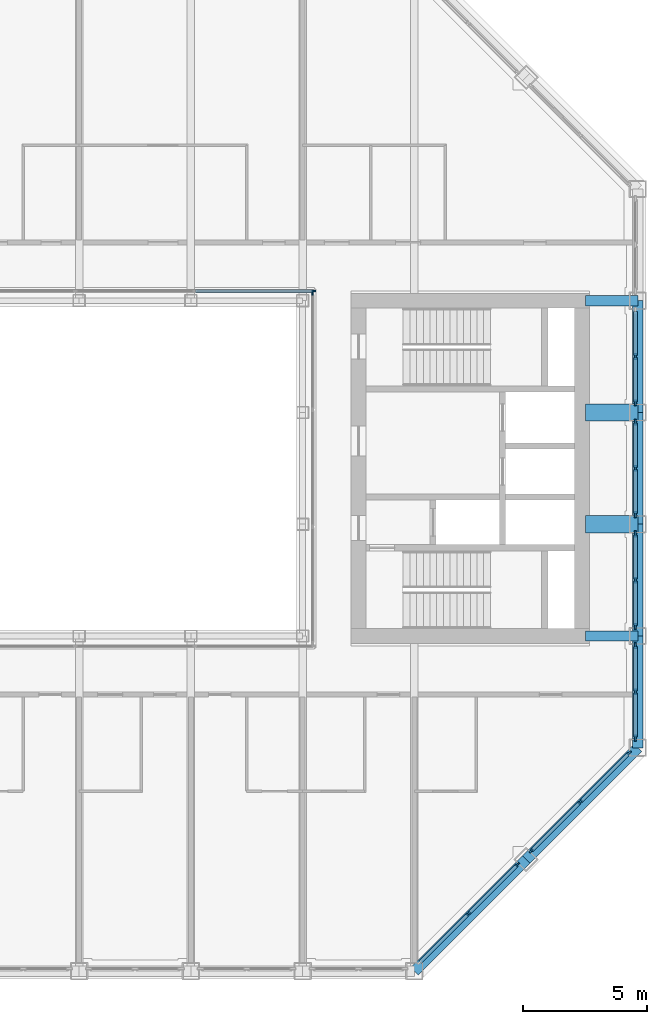
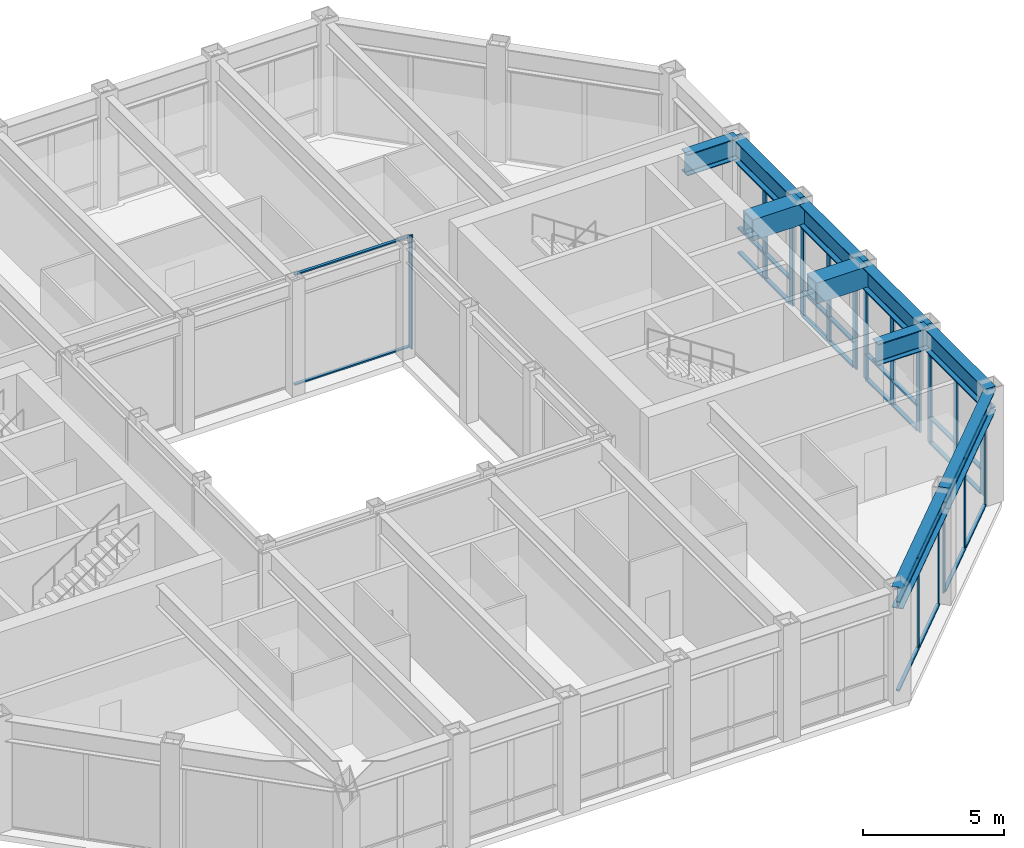
# One storey, part 5 of 15: 52 members, 10 beams, 8 elements without a shape of their own.
"""IFC4 building model written with IfcOpenShell, lengths in metres."""

from ifc_helpers import new_model, si_unit, direction, frame, origin, origin_2d, place, context, subcontext, project, spatial, rectangle, hollow_rectangle, i_section, extrude, material, material_profile, profile_set, type_object, element, aggregate, save


model = new_model("IFC4")

# Units and contexts
model_context = context("Model", 3, precision=1e-05, world=origin(), true_north=direction((0.0, 1.0)))
body_context = subcontext(model_context, "Body", "Model", "MODEL_VIEW")
ifc_project = project(units=[si_unit("LENGTHUNIT", "METRE"), si_unit("AREAUNIT", "SQUARE_METRE"), si_unit("VOLUMEUNIT", "CUBIC_METRE"), si_unit("PLANEANGLEUNIT", "RADIAN"), si_unit("MASSUNIT", "GRAM", prefix="KILO")], contexts=[model_context])

# Site, building, storey
site_placement = place(None, origin())
site = spatial("IfcSite", under=ifc_project, at=site_placement, CompositionType="ELEMENT")
building_placement = place(site_placement, origin())
building = spatial("IfcBuilding", under=site, at=building_placement, Name="Msasa Ring Tower", CompositionType="ELEMENT")
storey_placement = place(building_placement, frame((0.0, 0.0, 195.800048828125)))
storey = spatial("IfcBuildingStorey", under=building, at=storey_placement, Name="L51", CompositionType="ELEMENT", Elevation=195.800048828125)

# Curtain wall, members
ifc_material_1 = material(Name="Aluminium curtain wall with clear glass", Category="aluminium")
curtain_wall_type_1 = type_object("IfcCurtainWallType", Name="CW-C CHAMFER CORNER CURTAIN WALL", PredefinedType="NOTDEFINED", material=ifc_material_1)
curtain_wall_1_placement = place(storey_placement, origin())
curtain_wall_1 = element("IfcCurtainWall", 1, at=curtain_wall_1_placement, inside=storey, type_object=curtain_wall_type_1, Name="Chamfer corner curtain wall SE L51", PredefinedType="NOTDEFINED")
ifc_material_2 = material(Name="Aluminium mullion", Category="aluminium")
ifc_material_profile_1 = material_profile(ifc_material_2, rectangle(XDim=0.06494140625, YDim=0.179931640625, at=origin_2d()), Name="AL 65x180")
ifc_profile_set_1 = profile_set([ifc_material_profile_1], Name="Aluminium mullion")
member_type_1 = type_object("IfcMemberType", Name="CW-C MULLION 65x180", PredefinedType="MULLION", material=ifc_profile_set_1)
member_1_placement = place(storey_placement, frame((13.42919921875, -17.92919921875, 0.0), z_axis=(0.0, 0.0, 1.0), x_axis=(-0.707106781187, 0.707106781187, 0.0)))
member_1 = element("IfcMember", 2, at=member_1_placement, type_object=member_type_1, Name="CW-C mullion 2", PredefinedType="MULLION", context=body_context, shape_type="SweptSolid", body=[
    extrude(rectangle(XDim=0.06494140625, YDim=0.179931640625, at=origin_2d()), origin(), (0.0, 0.0, 1.0), 3.87890625),
])
member_2_placement = place(storey_placement, frame((15.4052734375, -15.953369140625, 0.0), z_axis=(0.0, 0.0, 1.0), x_axis=(-0.707106781187, 0.707106781187, 0.0)))
member_2 = element("IfcMember", 3, at=member_2_placement, type_object=member_type_1, Name="CW-C mullion 3", PredefinedType="MULLION", context=body_context, shape_type="SweptSolid", body=[
    extrude(rectangle(XDim=0.06494140625, YDim=0.179931640625, at=origin_2d()), origin(), (0.0, 0.0, 1.0), 3.87890625),
])

curtain_wall_2_placement = place(storey_placement, origin())
curtain_wall_2 = element("IfcCurtainWall", 4, at=curtain_wall_2_placement, inside=storey, type_object=curtain_wall_type_1, Name="Chamfer corner curtain wall SE L51", PredefinedType="NOTDEFINED")
member_3_placement = place(storey_placement, frame((15.953369140625, -15.4052734375, 0.0), z_axis=(0.0, 0.0, 1.0), x_axis=(-0.707106781187, 0.707106781187, 0.0)))
member_3 = element("IfcMember", 5, at=member_3_placement, type_object=member_type_1, Name="CW-C mullion 1", PredefinedType="MULLION", context=body_context, shape_type="SweptSolid", body=[
    extrude(rectangle(XDim=0.06494140625, YDim=0.179931640625, at=origin_2d()), origin(), (0.0, 0.0, 1.0), 3.87890625),
])
member_4_placement = place(storey_placement, frame((17.92919921875, -13.42919921875, 0.0), z_axis=(0.0, 0.0, 1.0), x_axis=(-0.707106781187, 0.707106781187, 0.0)))
member_4 = element("IfcMember", 6, at=member_4_placement, type_object=member_type_1, Name="CW-C mullion 2", PredefinedType="MULLION", context=body_context, shape_type="SweptSolid", body=[
    extrude(rectangle(XDim=0.06494140625, YDim=0.179931640625, at=origin_2d()), origin(), (0.0, 0.0, 1.0), 3.87890625),
])
member_5_placement = place(storey_placement, frame((19.9052734375, -11.453369140625, 0.0), z_axis=(0.0, 0.0, 1.0), x_axis=(-0.707106781187, 0.707106781187, 0.0)))
member_5 = element("IfcMember", 7, at=member_5_placement, type_object=member_type_1, Name="CW-C mullion 3", PredefinedType="MULLION", context=body_context, shape_type="SweptSolid", body=[
    extrude(rectangle(XDim=0.06494140625, YDim=0.179931640625, at=origin_2d()), origin(), (0.0, 0.0, 1.0), 3.87890625),
])

# Member
ifc_material_3 = material(Name="Aluminium transom", Category="aluminium")
ifc_material_profile_2 = material_profile(ifc_material_3, rectangle(XDim=0.139892578125, YDim=0.06494140625, at=origin_2d()), Name="AL 65x140")
ifc_profile_set_2 = profile_set([ifc_material_profile_2], Name="Aluminium transom")
member_type_2 = type_object("IfcMemberType", Name="CW-C TRANSOM 65x140", PredefinedType="USERDEFINED", material=ifc_profile_set_2)
member_6_placement = place(storey_placement, frame((11.476318359375, -19.88232421875, 0.032470703125), z_axis=(0.707106781187, 0.707106781187, 0.0), x_axis=(-0.707106781187, 0.707106781187, 0.0)))
member_6 = element("IfcMember", 8, at=member_6_placement, type_object=member_type_2, Name="CW-C transom 1.1", ObjectType="TRANSOM", PredefinedType="USERDEFINED", context=body_context, shape_type="SweptSolid", body=[
    extrude(rectangle(XDim=0.139892578125, YDim=0.06494140625, at=origin_2d()), origin(), (0.0, 0.0, 1.0), 2.729248046875),
])

member_7_placement = place(storey_placement, frame((11.476318359375, -19.88232421875, 3.846435546875), z_axis=(0.707106781187, 0.707106781187, 0.0), x_axis=(-0.707106781187, 0.707106781187, 0.0)))
member_7 = element("IfcMember", 9, at=member_7_placement, type_object=member_type_2, Name="CW-C transom 1.2", ObjectType="TRANSOM", PredefinedType="USERDEFINED", context=body_context, shape_type="SweptSolid", body=[
    extrude(rectangle(XDim=0.139892578125, YDim=0.06494140625, at=origin_2d()), origin(), (0.0, 0.0, 1.0), 2.729248046875),
])

member_8_placement = place(storey_placement, frame((13.452392578125, -17.90625, 0.032470703125), z_axis=(0.707106781187, 0.707106781187, 0.0), x_axis=(-0.707106781187, 0.707106781187, 0.0)))
member_8 = element("IfcMember", 10, at=member_8_placement, type_object=member_type_2, Name="CW-C transom 2.1", ObjectType="TRANSOM", PredefinedType="USERDEFINED", context=body_context, shape_type="SweptSolid", body=[
    extrude(rectangle(XDim=0.139892578125, YDim=0.06494140625, at=origin_2d()), origin(), (0.0, 0.0, 1.0), 2.729248046875),
])

member_9_placement = place(storey_placement, frame((13.452392578125, -17.90625, 3.846435546875), z_axis=(0.707106781187, 0.707106781187, 0.0), x_axis=(-0.707106781187, 0.707106781187, 0.0)))
member_9 = element("IfcMember", 11, at=member_9_placement, type_object=member_type_2, Name="CW-C transom 2.2", ObjectType="TRANSOM", PredefinedType="USERDEFINED", context=body_context, shape_type="SweptSolid", body=[
    extrude(rectangle(XDim=0.139892578125, YDim=0.06494140625, at=origin_2d()), origin(), (0.0, 0.0, 1.0), 2.729248046875),
])

aggregate(curtain_wall_1, [member_1, member_2, member_6, member_7, member_8, member_9])

member_10_placement = place(storey_placement, frame((15.976318359375, -15.38232421875, 0.032470703125), z_axis=(0.707106781187, 0.707106781187, 0.0), x_axis=(-0.707106781187, 0.707106781187, 0.0)))
member_10 = element("IfcMember", 12, at=member_10_placement, type_object=member_type_2, Name="CW-C transom 1.1", ObjectType="TRANSOM", PredefinedType="USERDEFINED", context=body_context, shape_type="SweptSolid", body=[
    extrude(rectangle(XDim=0.139892578125, YDim=0.06494140625, at=origin_2d()), origin(), (0.0, 0.0, 1.0), 2.729248046875),
])

member_11_placement = place(storey_placement, frame((15.976318359375, -15.38232421875, 3.846435546875), z_axis=(0.707106781187, 0.707106781187, 0.0), x_axis=(-0.707106781187, 0.707106781187, 0.0)))
member_11 = element("IfcMember", 13, at=member_11_placement, type_object=member_type_2, Name="CW-C transom 1.2", ObjectType="TRANSOM", PredefinedType="USERDEFINED", context=body_context, shape_type="SweptSolid", body=[
    extrude(rectangle(XDim=0.139892578125, YDim=0.06494140625, at=origin_2d()), origin(), (0.0, 0.0, 1.0), 2.729248046875),
])

member_12_placement = place(storey_placement, frame((17.952392578125, -13.40625, 0.032470703125), z_axis=(0.707106781187, 0.707106781187, 0.0), x_axis=(-0.707106781187, 0.707106781187, 0.0)))
member_12 = element("IfcMember", 14, at=member_12_placement, type_object=member_type_2, Name="CW-C transom 2.1", ObjectType="TRANSOM", PredefinedType="USERDEFINED", context=body_context, shape_type="SweptSolid", body=[
    extrude(rectangle(XDim=0.139892578125, YDim=0.06494140625, at=origin_2d()), origin(), (0.0, 0.0, 1.0), 2.729248046875),
])

member_13_placement = place(storey_placement, frame((17.952392578125, -13.40625, 3.846435546875), z_axis=(0.707106781187, 0.707106781187, 0.0), x_axis=(-0.707106781187, 0.707106781187, 0.0)))
member_13 = element("IfcMember", 15, at=member_13_placement, type_object=member_type_2, Name="CW-C transom 2.2", ObjectType="TRANSOM", PredefinedType="USERDEFINED", context=body_context, shape_type="SweptSolid", body=[
    extrude(rectangle(XDim=0.139892578125, YDim=0.06494140625, at=origin_2d()), origin(), (0.0, 0.0, 1.0), 2.729248046875),
])

aggregate(curtain_wall_2, [member_3, member_4, member_5, member_10, member_11, member_12, member_13])

# Curtain wall, members
ifc_material_4 = material(Name="Aluminium curtain wall with clear glass", Category="aluminium")
curtain_wall_type_2 = type_object("IfcCurtainWallType", Name="CW-S SKY LOBBY CURTAIN WALL", PredefinedType="NOTDEFINED", material=ifc_material_4)
curtain_wall_3_placement = place(storey_placement, origin())
curtain_wall_3 = element("IfcCurtainWall", 16, at=curtain_wall_3_placement, inside=storey, type_object=curtain_wall_type_2, Name="Sky lobby curtain wall E L51", PredefinedType="NOTDEFINED")
ifc_material_5 = material(Name="Aluminium mullion", Category="aluminium")
ifc_material_profile_3 = material_profile(ifc_material_5, rectangle(XDim=0.074951171875, YDim=0.25, at=origin_2d()), Name="AL 75x250")
ifc_profile_set_3 = profile_set([ifc_material_profile_3], Name="Aluminium mullion")
member_type_3 = type_object("IfcMemberType", Name="CW-S MULLION 75x250", PredefinedType="MULLION", material=ifc_profile_set_3)
member_14_placement = place(storey_placement, frame((20.14990234375, -10.857421875, 0.0), z_axis=(0.0, 0.0, 1.0), x_axis=(-1.0, 0.0, 0.0)))
member_14 = element("IfcMember", 17, at=member_14_placement, type_object=member_type_3, Name="CW-S mullion 1", PredefinedType="MULLION", context=body_context, shape_type="SweptSolid", body=[
    extrude(rectangle(XDim=0.074951171875, YDim=0.25, at=origin_2d()), origin(), (0.0, 0.0, 1.0), 3.87890625),
])
member_15_placement = place(storey_placement, frame((20.14990234375, -9.0, 0.0), z_axis=(0.0, 0.0, 1.0), x_axis=(-1.0, 0.0, 0.0)))
member_15 = element("IfcMember", 18, at=member_15_placement, type_object=member_type_3, Name="CW-S mullion 2", PredefinedType="MULLION", context=body_context, shape_type="SweptSolid", body=[
    extrude(rectangle(XDim=0.074951171875, YDim=0.25, at=origin_2d()), origin(), (0.0, 0.0, 1.0), 3.87890625),
])
member_16_placement = place(storey_placement, frame((20.14990234375, -7.142578125, 0.0), z_axis=(0.0, 0.0, 1.0), x_axis=(-1.0, 0.0, 0.0)))
member_16 = element("IfcMember", 19, at=member_16_placement, type_object=member_type_3, Name="CW-S mullion 3", PredefinedType="MULLION", context=body_context, shape_type="SweptSolid", body=[
    extrude(rectangle(XDim=0.074951171875, YDim=0.25, at=origin_2d()), origin(), (0.0, 0.0, 1.0), 3.87890625),
])

curtain_wall_4_placement = place(storey_placement, origin())
curtain_wall_4 = element("IfcCurtainWall", 20, at=curtain_wall_4_placement, inside=storey, type_object=curtain_wall_type_2, Name="Sky lobby curtain wall E L51", PredefinedType="NOTDEFINED")
member_17_placement = place(storey_placement, frame((20.14990234375, -6.357421875, 0.0), z_axis=(0.0, 0.0, 1.0), x_axis=(-1.0, 0.0, 0.0)))
member_17 = element("IfcMember", 21, at=member_17_placement, type_object=member_type_3, Name="CW-S mullion 1", PredefinedType="MULLION", context=body_context, shape_type="SweptSolid", body=[
    extrude(rectangle(XDim=0.074951171875, YDim=0.25, at=origin_2d()), origin(), (0.0, 0.0, 1.0), 3.87890625),
])
member_18_placement = place(storey_placement, frame((20.14990234375, -4.5, 0.0), z_axis=(0.0, 0.0, 1.0), x_axis=(-1.0, 0.0, 0.0)))
member_18 = element("IfcMember", 22, at=member_18_placement, type_object=member_type_3, Name="CW-S mullion 2", PredefinedType="MULLION", context=body_context, shape_type="SweptSolid", body=[
    extrude(rectangle(XDim=0.074951171875, YDim=0.25, at=origin_2d()), origin(), (0.0, 0.0, 1.0), 3.87890625),
])
member_19_placement = place(storey_placement, frame((20.14990234375, -2.642578125, 0.0), z_axis=(0.0, 0.0, 1.0), x_axis=(-1.0, 0.0, 0.0)))
member_19 = element("IfcMember", 23, at=member_19_placement, type_object=member_type_3, Name="CW-S mullion 3", PredefinedType="MULLION", context=body_context, shape_type="SweptSolid", body=[
    extrude(rectangle(XDim=0.074951171875, YDim=0.25, at=origin_2d()), origin(), (0.0, 0.0, 1.0), 3.87890625),
])

curtain_wall_5_placement = place(storey_placement, origin())
curtain_wall_5 = element("IfcCurtainWall", 24, at=curtain_wall_5_placement, inside=storey, type_object=curtain_wall_type_2, Name="Sky lobby curtain wall E L51", PredefinedType="NOTDEFINED")
member_20_placement = place(storey_placement, frame((20.14990234375, -1.857421875, 0.0), z_axis=(0.0, 0.0, 1.0), x_axis=(-1.0, 0.0, 0.0)))
member_20 = element("IfcMember", 25, at=member_20_placement, type_object=member_type_3, Name="CW-S mullion 1", PredefinedType="MULLION", context=body_context, shape_type="SweptSolid", body=[
    extrude(rectangle(XDim=0.074951171875, YDim=0.25, at=origin_2d()), origin(), (0.0, 0.0, 1.0), 3.87890625),
])
member_21_placement = place(storey_placement, frame((20.14990234375, 0.0, 0.0), z_axis=(0.0, 0.0, 1.0), x_axis=(-1.0, 0.0, 0.0)))
member_21 = element("IfcMember", 26, at=member_21_placement, type_object=member_type_3, Name="CW-S mullion 2", PredefinedType="MULLION", context=body_context, shape_type="SweptSolid", body=[
    extrude(rectangle(XDim=0.074951171875, YDim=0.25, at=origin_2d()), origin(), (0.0, 0.0, 1.0), 3.87890625),
])
member_22_placement = place(storey_placement, frame((20.14990234375, 1.857421875, 0.0), z_axis=(0.0, 0.0, 1.0), x_axis=(-1.0, 0.0, 0.0)))
member_22 = element("IfcMember", 27, at=member_22_placement, type_object=member_type_3, Name="CW-S mullion 3", PredefinedType="MULLION", context=body_context, shape_type="SweptSolid", body=[
    extrude(rectangle(XDim=0.074951171875, YDim=0.25, at=origin_2d()), origin(), (0.0, 0.0, 1.0), 3.87890625),
])

curtain_wall_6_placement = place(storey_placement, origin())
curtain_wall_6 = element("IfcCurtainWall", 28, at=curtain_wall_6_placement, inside=storey, type_object=curtain_wall_type_2, Name="Sky lobby curtain wall E L51", PredefinedType="NOTDEFINED")
member_23_placement = place(storey_placement, frame((20.14990234375, 2.642578125, 0.0), z_axis=(0.0, 0.0, 1.0), x_axis=(-1.0, 0.0, 0.0)))
member_23 = element("IfcMember", 29, at=member_23_placement, type_object=member_type_3, Name="CW-S mullion 1", PredefinedType="MULLION", context=body_context, shape_type="SweptSolid", body=[
    extrude(rectangle(XDim=0.074951171875, YDim=0.25, at=origin_2d()), origin(), (0.0, 0.0, 1.0), 3.87890625),
])
member_24_placement = place(storey_placement, frame((20.14990234375, 4.5, 0.0), z_axis=(0.0, 0.0, 1.0), x_axis=(-1.0, 0.0, 0.0)))
member_24 = element("IfcMember", 30, at=member_24_placement, type_object=member_type_3, Name="CW-S mullion 2", PredefinedType="MULLION", context=body_context, shape_type="SweptSolid", body=[
    extrude(rectangle(XDim=0.074951171875, YDim=0.25, at=origin_2d()), origin(), (0.0, 0.0, 1.0), 3.87890625),
])

# Member
ifc_material_6 = material(Name="Aluminium transom", Category="aluminium")
ifc_material_profile_4 = material_profile(ifc_material_6, rectangle(XDim=0.159912109375, YDim=0.074951171875, at=origin_2d()), Name="AL 75x160")
ifc_profile_set_4 = profile_set([ifc_material_profile_4], Name="Aluminium transom")
member_type_4 = type_object("IfcMemberType", Name="CW-S TRANSOM 75x160", PredefinedType="USERDEFINED", material=ifc_profile_set_4)
member_25_placement = place(storey_placement, frame((20.14990234375, -10.820068359375, 0.037353515625), z_axis=(0.0, 1.0, 0.0), x_axis=(-1.0, 0.0, 0.0)))
member_25 = element("IfcMember", 31, at=member_25_placement, type_object=member_type_4, Name="CW-S transom 1.1", ObjectType="TRANSOM", PredefinedType="USERDEFINED", context=body_context, shape_type="SweptSolid", body=[
    extrude(rectangle(XDim=0.159912109375, YDim=0.074951171875, at=origin_2d()), origin(), (0.0, 0.0, 1.0), 1.782470703125),
])

member_26_placement = place(storey_placement, frame((20.14990234375, -10.820068359375, 1.099853515625), z_axis=(0.0, 1.0, 0.0), x_axis=(-1.0, 0.0, 0.0)))
member_26 = element("IfcMember", 32, at=member_26_placement, type_object=member_type_4, Name="CW-S transom 1.2", ObjectType="TRANSOM", PredefinedType="USERDEFINED", context=body_context, shape_type="SweptSolid", body=[
    extrude(rectangle(XDim=0.159912109375, YDim=0.074951171875, at=origin_2d()), origin(), (0.0, 0.0, 1.0), 1.782470703125),
])

member_27_placement = place(storey_placement, frame((20.14990234375, -10.820068359375, 3.841552734375), z_axis=(0.0, 1.0, 0.0), x_axis=(-1.0, 0.0, 0.0)))
member_27 = element("IfcMember", 33, at=member_27_placement, type_object=member_type_4, Name="CW-S transom 1.3", ObjectType="TRANSOM", PredefinedType="USERDEFINED", context=body_context, shape_type="SweptSolid", body=[
    extrude(rectangle(XDim=0.159912109375, YDim=0.074951171875, at=origin_2d()), origin(), (0.0, 0.0, 1.0), 1.782470703125),
])

member_28_placement = place(storey_placement, frame((20.14990234375, -8.96240234375, 0.037353515625), z_axis=(0.0, 1.0, 0.0), x_axis=(-1.0, 0.0, 0.0)))
member_28 = element("IfcMember", 34, at=member_28_placement, type_object=member_type_4, Name="CW-S transom 2.1", ObjectType="TRANSOM", PredefinedType="USERDEFINED", context=body_context, shape_type="SweptSolid", body=[
    extrude(rectangle(XDim=0.159912109375, YDim=0.074951171875, at=origin_2d()), origin(), (0.0, 0.0, 1.0), 1.782470703125),
])

member_29_placement = place(storey_placement, frame((20.14990234375, -8.96240234375, 1.099853515625), z_axis=(0.0, 1.0, 0.0), x_axis=(-1.0, 0.0, 0.0)))
member_29 = element("IfcMember", 35, at=member_29_placement, type_object=member_type_4, Name="CW-S transom 2.2", ObjectType="TRANSOM", PredefinedType="USERDEFINED", context=body_context, shape_type="SweptSolid", body=[
    extrude(rectangle(XDim=0.159912109375, YDim=0.074951171875, at=origin_2d()), origin(), (0.0, 0.0, 1.0), 1.782470703125),
])

member_30_placement = place(storey_placement, frame((20.14990234375, -8.96240234375, 3.841552734375), z_axis=(0.0, 1.0, 0.0), x_axis=(-1.0, 0.0, 0.0)))
member_30 = element("IfcMember", 36, at=member_30_placement, type_object=member_type_4, Name="CW-S transom 2.3", ObjectType="TRANSOM", PredefinedType="USERDEFINED", context=body_context, shape_type="SweptSolid", body=[
    extrude(rectangle(XDim=0.159912109375, YDim=0.074951171875, at=origin_2d()), origin(), (0.0, 0.0, 1.0), 1.782470703125),
])

aggregate(curtain_wall_3, [member_14, member_15, member_16, member_25, member_26, member_27, member_28, member_29, member_30])

member_31_placement = place(storey_placement, frame((20.14990234375, -6.320068359375, 0.037353515625), z_axis=(0.0, 1.0, 0.0), x_axis=(-1.0, 0.0, 0.0)))
member_31 = element("IfcMember", 37, at=member_31_placement, type_object=member_type_4, Name="CW-S transom 1.1", ObjectType="TRANSOM", PredefinedType="USERDEFINED", context=body_context, shape_type="SweptSolid", body=[
    extrude(rectangle(XDim=0.159912109375, YDim=0.074951171875, at=origin_2d()), origin(), (0.0, 0.0, 1.0), 1.782470703125),
])

member_32_placement = place(storey_placement, frame((20.14990234375, -6.320068359375, 1.099853515625), z_axis=(0.0, 1.0, 0.0), x_axis=(-1.0, 0.0, 0.0)))
member_32 = element("IfcMember", 38, at=member_32_placement, type_object=member_type_4, Name="CW-S transom 1.2", ObjectType="TRANSOM", PredefinedType="USERDEFINED", context=body_context, shape_type="SweptSolid", body=[
    extrude(rectangle(XDim=0.159912109375, YDim=0.074951171875, at=origin_2d()), origin(), (0.0, 0.0, 1.0), 1.782470703125),
])

member_33_placement = place(storey_placement, frame((20.14990234375, -6.320068359375, 3.841552734375), z_axis=(0.0, 1.0, 0.0), x_axis=(-1.0, 0.0, 0.0)))
member_33 = element("IfcMember", 39, at=member_33_placement, type_object=member_type_4, Name="CW-S transom 1.3", ObjectType="TRANSOM", PredefinedType="USERDEFINED", context=body_context, shape_type="SweptSolid", body=[
    extrude(rectangle(XDim=0.159912109375, YDim=0.074951171875, at=origin_2d()), origin(), (0.0, 0.0, 1.0), 1.782470703125),
])

member_34_placement = place(storey_placement, frame((20.14990234375, -4.46240234375, 0.037353515625), z_axis=(0.0, 1.0, 0.0), x_axis=(-1.0, 0.0, 0.0)))
member_34 = element("IfcMember", 40, at=member_34_placement, type_object=member_type_4, Name="CW-S transom 2.1", ObjectType="TRANSOM", PredefinedType="USERDEFINED", context=body_context, shape_type="SweptSolid", body=[
    extrude(rectangle(XDim=0.159912109375, YDim=0.074951171875, at=origin_2d()), origin(), (0.0, 0.0, 1.0), 1.782470703125),
])

member_35_placement = place(storey_placement, frame((20.14990234375, -4.46240234375, 1.099853515625), z_axis=(0.0, 1.0, 0.0), x_axis=(-1.0, 0.0, 0.0)))
member_35 = element("IfcMember", 41, at=member_35_placement, type_object=member_type_4, Name="CW-S transom 2.2", ObjectType="TRANSOM", PredefinedType="USERDEFINED", context=body_context, shape_type="SweptSolid", body=[
    extrude(rectangle(XDim=0.159912109375, YDim=0.074951171875, at=origin_2d()), origin(), (0.0, 0.0, 1.0), 1.782470703125),
])

member_36_placement = place(storey_placement, frame((20.14990234375, -4.46240234375, 3.841552734375), z_axis=(0.0, 1.0, 0.0), x_axis=(-1.0, 0.0, 0.0)))
member_36 = element("IfcMember", 42, at=member_36_placement, type_object=member_type_4, Name="CW-S transom 2.3", ObjectType="TRANSOM", PredefinedType="USERDEFINED", context=body_context, shape_type="SweptSolid", body=[
    extrude(rectangle(XDim=0.159912109375, YDim=0.074951171875, at=origin_2d()), origin(), (0.0, 0.0, 1.0), 1.782470703125),
])

aggregate(curtain_wall_4, [member_17, member_18, member_19, member_31, member_32, member_33, member_34, member_35, member_36])

member_37_placement = place(storey_placement, frame((20.14990234375, -1.820068359375, 0.037353515625), z_axis=(0.0, 1.0, 0.0), x_axis=(-1.0, 0.0, 0.0)))
member_37 = element("IfcMember", 43, at=member_37_placement, type_object=member_type_4, Name="CW-S transom 1.1", ObjectType="TRANSOM", PredefinedType="USERDEFINED", context=body_context, shape_type="SweptSolid", body=[
    extrude(rectangle(XDim=0.159912109375, YDim=0.074951171875, at=origin_2d()), origin(), (0.0, 0.0, 1.0), 1.782470703125),
])

member_38_placement = place(storey_placement, frame((20.14990234375, -1.820068359375, 1.099853515625), z_axis=(0.0, 1.0, 0.0), x_axis=(-1.0, 0.0, 0.0)))
member_38 = element("IfcMember", 44, at=member_38_placement, type_object=member_type_4, Name="CW-S transom 1.2", ObjectType="TRANSOM", PredefinedType="USERDEFINED", context=body_context, shape_type="SweptSolid", body=[
    extrude(rectangle(XDim=0.159912109375, YDim=0.074951171875, at=origin_2d()), origin(), (0.0, 0.0, 1.0), 1.782470703125),
])

member_39_placement = place(storey_placement, frame((20.14990234375, -1.820068359375, 3.841552734375), z_axis=(0.0, 1.0, 0.0), x_axis=(-1.0, 0.0, 0.0)))
member_39 = element("IfcMember", 45, at=member_39_placement, type_object=member_type_4, Name="CW-S transom 1.3", ObjectType="TRANSOM", PredefinedType="USERDEFINED", context=body_context, shape_type="SweptSolid", body=[
    extrude(rectangle(XDim=0.159912109375, YDim=0.074951171875, at=origin_2d()), origin(), (0.0, 0.0, 1.0), 1.782470703125),
])

member_40_placement = place(storey_placement, frame((20.14990234375, 0.03759765625, 0.037353515625), z_axis=(0.0, 1.0, 0.0), x_axis=(-1.0, 0.0, 0.0)))
member_40 = element("IfcMember", 46, at=member_40_placement, type_object=member_type_4, Name="CW-S transom 2.1", ObjectType="TRANSOM", PredefinedType="USERDEFINED", context=body_context, shape_type="SweptSolid", body=[
    extrude(rectangle(XDim=0.159912109375, YDim=0.074951171875, at=origin_2d()), origin(), (0.0, 0.0, 1.0), 1.782470703125),
])

member_41_placement = place(storey_placement, frame((20.14990234375, 0.03759765625, 1.099853515625), z_axis=(0.0, 1.0, 0.0), x_axis=(-1.0, 0.0, 0.0)))
member_41 = element("IfcMember", 47, at=member_41_placement, type_object=member_type_4, Name="CW-S transom 2.2", ObjectType="TRANSOM", PredefinedType="USERDEFINED", context=body_context, shape_type="SweptSolid", body=[
    extrude(rectangle(XDim=0.159912109375, YDim=0.074951171875, at=origin_2d()), origin(), (0.0, 0.0, 1.0), 1.782470703125),
])

member_42_placement = place(storey_placement, frame((20.14990234375, 0.03759765625, 3.841552734375), z_axis=(0.0, 1.0, 0.0), x_axis=(-1.0, 0.0, 0.0)))
member_42 = element("IfcMember", 48, at=member_42_placement, type_object=member_type_4, Name="CW-S transom 2.3", ObjectType="TRANSOM", PredefinedType="USERDEFINED", context=body_context, shape_type="SweptSolid", body=[
    extrude(rectangle(XDim=0.159912109375, YDim=0.074951171875, at=origin_2d()), origin(), (0.0, 0.0, 1.0), 1.782470703125),
])

aggregate(curtain_wall_5, [member_20, member_21, member_22, member_37, member_38, member_39, member_40, member_41, member_42])

member_43_placement = place(storey_placement, frame((20.14990234375, 2.679931640625, 0.037353515625), z_axis=(0.0, 1.0, 0.0), x_axis=(-1.0, 0.0, 0.0)))
member_43 = element("IfcMember", 49, at=member_43_placement, type_object=member_type_4, Name="CW-S transom 1.1", ObjectType="TRANSOM", PredefinedType="USERDEFINED", context=body_context, shape_type="SweptSolid", body=[
    extrude(rectangle(XDim=0.159912109375, YDim=0.074951171875, at=origin_2d()), origin(), (0.0, 0.0, 1.0), 1.782470703125),
])

member_44_placement = place(storey_placement, frame((20.14990234375, 2.679931640625, 1.099853515625), z_axis=(0.0, 1.0, 0.0), x_axis=(-1.0, 0.0, 0.0)))
member_44 = element("IfcMember", 50, at=member_44_placement, type_object=member_type_4, Name="CW-S transom 1.2", ObjectType="TRANSOM", PredefinedType="USERDEFINED", context=body_context, shape_type="SweptSolid", body=[
    extrude(rectangle(XDim=0.159912109375, YDim=0.074951171875, at=origin_2d()), origin(), (0.0, 0.0, 1.0), 1.782470703125),
])

member_45_placement = place(storey_placement, frame((20.14990234375, 2.679931640625, 3.841552734375), z_axis=(0.0, 1.0, 0.0), x_axis=(-1.0, 0.0, 0.0)))
member_45 = element("IfcMember", 51, at=member_45_placement, type_object=member_type_4, Name="CW-S transom 1.3", ObjectType="TRANSOM", PredefinedType="USERDEFINED", context=body_context, shape_type="SweptSolid", body=[
    extrude(rectangle(XDim=0.159912109375, YDim=0.074951171875, at=origin_2d()), origin(), (0.0, 0.0, 1.0), 1.782470703125),
])

member_46_placement = place(storey_placement, frame((20.14990234375, 4.53759765625, 0.037353515625), z_axis=(0.0, 1.0, 0.0), x_axis=(-1.0, 0.0, 0.0)))
member_46 = element("IfcMember", 52, at=member_46_placement, type_object=member_type_4, Name="CW-S transom 2.1", ObjectType="TRANSOM", PredefinedType="USERDEFINED", context=body_context, shape_type="SweptSolid", body=[
    extrude(rectangle(XDim=0.159912109375, YDim=0.074951171875, at=origin_2d()), origin(), (0.0, 0.0, 1.0), 1.782470703125),
])

member_47_placement = place(storey_placement, frame((20.14990234375, 4.53759765625, 1.099853515625), z_axis=(0.0, 1.0, 0.0), x_axis=(-1.0, 0.0, 0.0)))
member_47 = element("IfcMember", 53, at=member_47_placement, type_object=member_type_4, Name="CW-S transom 2.2", ObjectType="TRANSOM", PredefinedType="USERDEFINED", context=body_context, shape_type="SweptSolid", body=[
    extrude(rectangle(XDim=0.159912109375, YDim=0.074951171875, at=origin_2d()), origin(), (0.0, 0.0, 1.0), 1.782470703125),
])

member_48_placement = place(storey_placement, frame((20.14990234375, 4.53759765625, 3.841552734375), z_axis=(0.0, 1.0, 0.0), x_axis=(-1.0, 0.0, 0.0)))
member_48 = element("IfcMember", 54, at=member_48_placement, type_object=member_type_4, Name="CW-S transom 2.3", ObjectType="TRANSOM", PredefinedType="USERDEFINED", context=body_context, shape_type="SweptSolid", body=[
    extrude(rectangle(XDim=0.159912109375, YDim=0.074951171875, at=origin_2d()), origin(), (0.0, 0.0, 1.0), 1.782470703125),
])

aggregate(curtain_wall_6, [member_23, member_24, member_43, member_44, member_45, member_46, member_47, member_48])

# Curtain wall, member
ifc_material_7 = material(Name="Aluminium curtain wall with clear glass", Category="aluminium")
curtain_wall_type_3 = type_object("IfcCurtainWallType", Name="CW-W LIGHT WELL CURTAIN WALL", PredefinedType="NOTDEFINED", material=ifc_material_7)
curtain_wall_7_placement = place(storey_placement, origin())
curtain_wall_7 = element("IfcCurtainWall", 55, at=curtain_wall_7_placement, inside=storey, type_object=curtain_wall_type_3, Name="Light well curtain wall N L51", PredefinedType="NOTDEFINED")
ifc_material_8 = material(Name="Aluminium mullion", Category="aluminium")
ifc_material_profile_5 = material_profile(ifc_material_8, rectangle(XDim=0.06005859375, YDim=0.159912109375, at=origin_2d()), Name="AL 60x160")
ifc_profile_set_5 = profile_set([ifc_material_profile_5], Name="Aluminium mullion")
member_type_5 = type_object("IfcMemberType", Name="CW-W MULLION 60x160", PredefinedType="MULLION", material=ifc_profile_set_5)
member_49_placement = place(storey_placement, frame((7.199951171875, 7.14990234375, 0.0), z_axis=(0.0, 0.0, 1.0), x_axis=(0.0, 1.0, 0.0)))
member_49 = element("IfcMember", 56, at=member_49_placement, type_object=member_type_5, Name="CW-W mullion 4", PredefinedType="MULLION", context=body_context, shape_type="SweptSolid", body=[
    extrude(rectangle(XDim=0.06005859375, YDim=0.159912109375, at=origin_2d()), origin(), (0.0, 0.0, 1.0), 4.800048828125),
])

curtain_wall_8_placement = place(storey_placement, origin())
curtain_wall_8 = element("IfcCurtainWall", 57, at=curtain_wall_8_placement, inside=storey, type_object=curtain_wall_type_3, Name="Light well curtain wall E L51", PredefinedType="NOTDEFINED")
member_50_placement = place(storey_placement, frame((7.14990234375, 7.0400390625, 0.0), z_axis=(0.0, 0.0, 1.0), x_axis=(-1.0, 0.0, 0.0)))
member_50 = element("IfcMember", 58, at=member_50_placement, type_object=member_type_5, Name="CW-W mullion 4", PredefinedType="MULLION", context=body_context, shape_type="SweptSolid", body=[
    extrude(rectangle(XDim=0.06005859375, YDim=0.159912109375, at=origin_2d()), origin(), (0.0, 0.0, 1.0), 4.800048828125),
])
aggregate(curtain_wall_8, [member_50])

# Member
ifc_material_9 = material(Name="Aluminium transom", Category="aluminium")
ifc_material_profile_6 = material_profile(ifc_material_9, rectangle(XDim=0.1201171875, YDim=0.06005859375, at=origin_2d()), Name="AL 60x120")
ifc_profile_set_6 = profile_set([ifc_material_profile_6], Name="Aluminium transom")
member_type_6 = type_object("IfcMemberType", Name="CW-W TRANSOM 60x120", PredefinedType="USERDEFINED", material=ifc_profile_set_6)
member_51_placement = place(storey_placement, frame((2.43994140625, 7.14990234375, 0.030029296875), z_axis=(1.0, 0.0, 0.0), x_axis=(0.0, 1.0, 0.0)))
member_51 = element("IfcMember", 59, at=member_51_placement, type_object=member_type_6, Name="CW-W transom 3.1", ObjectType="TRANSOM", PredefinedType="USERDEFINED", context=body_context, shape_type="SweptSolid", body=[
    extrude(rectangle(XDim=0.1201171875, YDim=0.06005859375, at=origin_2d()), origin(), (0.0, 0.0, 1.0), 4.72998046875),
])

member_52_placement = place(storey_placement, frame((2.43994140625, 7.14990234375, 4.77001953125), z_axis=(1.0, 0.0, 0.0), x_axis=(0.0, 1.0, 0.0)))
member_52 = element("IfcMember", 60, at=member_52_placement, type_object=member_type_6, Name="CW-W transom 3.2", ObjectType="TRANSOM", PredefinedType="USERDEFINED", context=body_context, shape_type="SweptSolid", body=[
    extrude(rectangle(XDim=0.1201171875, YDim=0.06005859375, at=origin_2d()), origin(), (0.0, 0.0, 1.0), 4.72998046875),
])

aggregate(curtain_wall_7, [member_49, member_51, member_52])

# Beams
ifc_material_10 = material(Name="Steel S355", Category="steel")
ifc_material_profile_7 = material_profile(ifc_material_10, hollow_rectangle(XDim=0.699951171875, YDim=0.89990234375, WallThickness=0.080078125, at=origin_2d()), Name="BOX 900x700x80")
ifc_profile_set_7 = profile_set([ifc_material_profile_7], Name="Steel S355")
beam_type_1 = type_object("IfcBeamType", Name="FB4 BOX 900x700x80", PredefinedType="BEAM", material=ifc_profile_set_7)
for number, where, z_axis, x_axis, name in (
    (61, (20.25, -2.25, 4.349853515625), (-1.0, 0.0, 0.0), (0.0, -1.0, 0.0), "Floor beam E -2.25 under L52"),
    (62, (20.25, 2.25, 4.349853515625), (-1.0, 0.0, 0.0), (0.0, -1.0, 0.0), "Floor beam E +2.25 under L52"),
):
    element("IfcBeam", number, at=place(storey_placement, frame(where, z_axis=z_axis, x_axis=x_axis)), inside=storey, type_object=beam_type_1, Name=name, PredefinedType="BEAM", context=body_context, shape_type="SweptSolid", body=[
        extrude(hollow_rectangle(XDim=0.699951171875, YDim=0.89990234375, WallThickness=0.080078125, at=origin_2d()), origin(), (0.0, 0.0, 1.0), 2.10009765625),
    ])
ifc_material_11 = material(Name="Steel S355", Category="steel")
ifc_material_profile_8 = material_profile(ifc_material_11, i_section(OverallWidth=0.42041015625, OverallDepth=0.9208984375, WebThickness=0.021484375, FlangeThickness=0.03662109375, FilletRadius=0.024169921875, at=origin_2d()), Name="UB 914x419x388")
ifc_profile_set_8 = profile_set([ifc_material_profile_8], Name="Steel S355")
beam_type_2 = type_object("IfcBeamType", Name="GB1 UB 914x419x388", PredefinedType="BEAM", material=ifc_profile_set_8)
for number, where, z_axis, x_axis, name in (
    (63, (18.14990234375, 6.75, 4.33935546875), (1.0, 0.0, 0.0), (0.0, 1.0, 0.0), "Girder E +6.75 under L52"),
    (64, (18.14990234375, -6.75, 4.33935546875), (1.0, 0.0, 0.0), (0.0, 1.0, 0.0), "Girder E -6.75 under L52"),
):
    element("IfcBeam", number, at=place(storey_placement, frame(where, z_axis=z_axis, x_axis=x_axis)), inside=storey, type_object=beam_type_2, Name=name, PredefinedType="BEAM", context=body_context, shape_type="SweptSolid", body=[
        extrude(i_section(OverallWidth=0.42041015625, OverallDepth=0.9208984375, WebThickness=0.021484375, FlangeThickness=0.03662109375, FilletRadius=0.024169921875, at=origin_2d()), origin(), (0.0, 0.0, 1.0), 2.10009765625),
    ])
ifc_material_12 = material(Name="Steel S355", Category="steel")
ifc_material_profile_9 = material_profile(ifc_material_12, i_section(OverallWidth=0.42041015625, OverallDepth=0.9208984375, WebThickness=0.021484375, FlangeThickness=0.03662109375, FilletRadius=0.024169921875, at=origin_2d()), Name="UB 914x419x388")
ifc_profile_set_9 = profile_set([ifc_material_profile_9], Name="Steel S355")
beam_type_3 = type_object("IfcBeamType", Name="SB1 UB 914x419x388", PredefinedType="SPANDREL", material=ifc_profile_set_9)
for number, where, z_axis, x_axis, name in (
    (65, (11.25, -20.25, 4.33935546875), (0.707106781187, 0.707106781187, 0.0), (-0.707106781187, 0.707106781187, 0.0), "Spandrel S+11.25 to SE under L52"),
    (66, (15.75, -15.75, 4.33935546875), (0.707106781187, 0.707106781187, 0.0), (-0.707106781187, 0.707106781187, 0.0), "Spandrel SE to E-11.25 under L52"),
):
    element("IfcBeam", number, at=place(storey_placement, frame(where, z_axis=z_axis, x_axis=x_axis)), inside=storey, type_object=beam_type_3, Name=name, PredefinedType="SPANDREL", context=body_context, shape_type="SweptSolid", body=[
        extrude(i_section(OverallWidth=0.42041015625, OverallDepth=0.9208984375, WebThickness=0.021484375, FlangeThickness=0.03662109375, FilletRadius=0.024169921875, at=origin_2d()), origin(), (0.0, 0.0, 1.0), 6.364013671875),
    ])
for number, where, z_axis, x_axis, name in (
    (67, (20.25, -11.25, 4.33935546875), (0.0, 1.0, 0.0), (-1.0, 0.0, 0.0), "Spandrel E-11.25 to E-6.75 under L52"),
    (68, (20.25, -6.75, 4.33935546875), (0.0, 1.0, 0.0), (-1.0, 0.0, 0.0), "Spandrel E-6.75 to E-2.25 under L52"),
    (69, (20.25, -2.25, 4.33935546875), (0.0, 1.0, 0.0), (-1.0, 0.0, 0.0), "Spandrel E-2.25 to E+2.25 under L52"),
    (70, (20.25, 2.25, 4.33935546875), (0.0, 1.0, 0.0), (-1.0, 0.0, 0.0), "Spandrel E+2.25 to E+6.75 under L52"),
):
    element("IfcBeam", number, at=place(storey_placement, frame(where, z_axis=z_axis, x_axis=x_axis)), inside=storey, type_object=beam_type_3, Name=name, PredefinedType="SPANDREL", context=body_context, shape_type="SweptSolid", body=[
        extrude(i_section(OverallWidth=0.42041015625, OverallDepth=0.9208984375, WebThickness=0.021484375, FlangeThickness=0.03662109375, FilletRadius=0.024169921875, at=origin_2d()), origin(), (0.0, 0.0, 1.0), 4.5),
    ])

save(model, "model.ifc")
